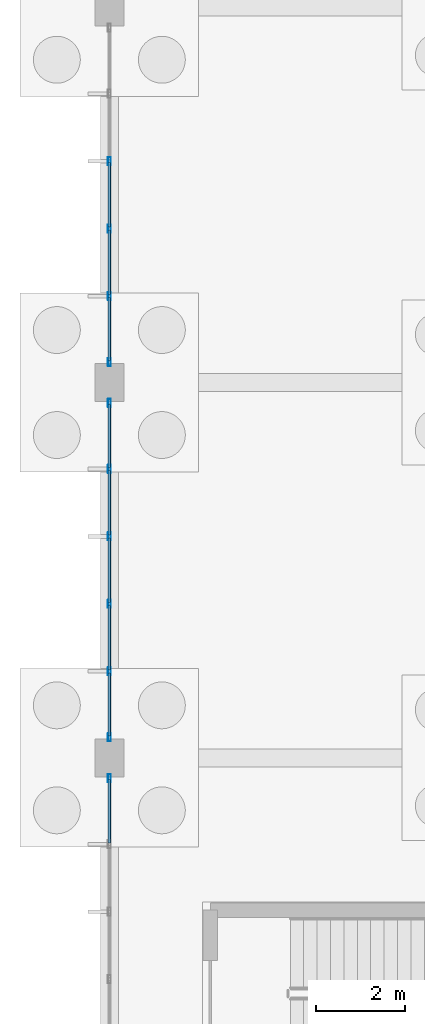
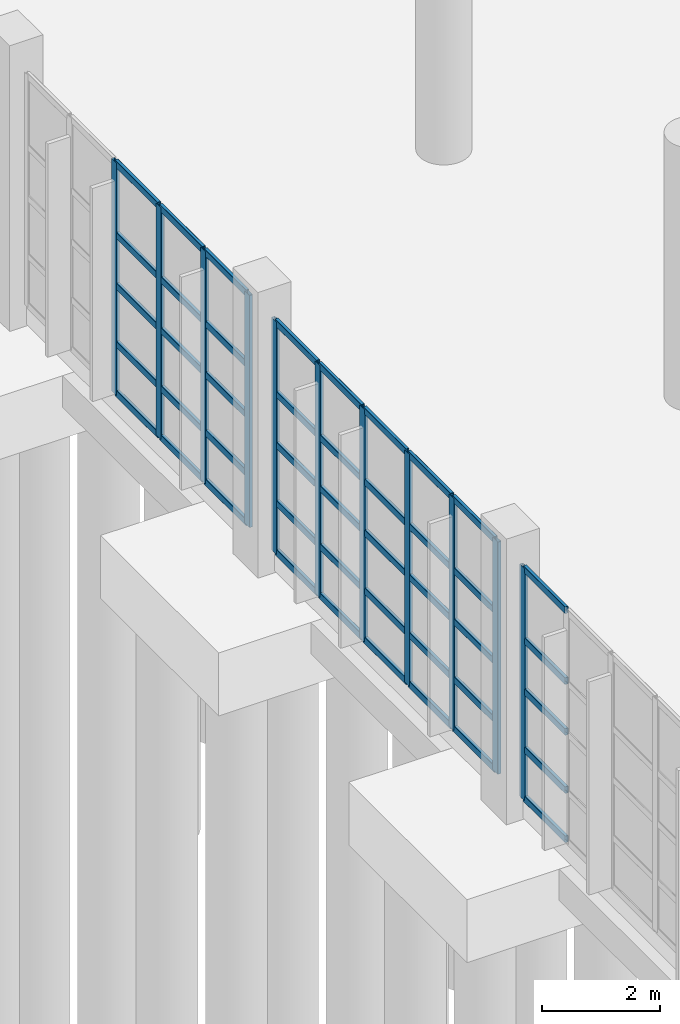
# One storey, part 25 of 83: 56 members, 3 elements without a shape of their own.
"""IFC4 building model written with IfcOpenShell, lengths in metres."""

import ifcopenshell
import ifcopenshell.guid

model = None  # the IFC model being written
_history = None  # IfcOwnerHistory: only IFC2X3 demands one
_inside = {}  # id of a spatial element -> (the spatial element, [elements in it])
_under = {}  # id of a project, library or spatial element -> (it, [spatial elements below it])
_declared = {}  # id of a project -> (the project, [libraries it declares])
_typed = {}  # id of a type object -> (the type object, [elements of that type])
_made_of = {}  # id of a material, layer set ... -> (it, [elements and type objects made of it])


def new_model(schema):
    """Start an empty IFC model of exactly this schema.

    Asked for "IFC4X3", IfcOpenShell would pick the latest addendum, in which some entities
    have other attributes; the version numbers below select the first issue.
    IFC2X3 requires an IfcOwnerHistory on every rooted entity: one is made here for all.
    """
    global model, _history
    if schema == "IFC4X3":
        model = ifcopenshell.file(schema_version=(4, 3, 0, 0))
    else:
        model = ifcopenshell.file(schema=schema)
    _inside.clear()
    _under.clear()
    _declared.clear()
    _typed.clear()
    _made_of.clear()
    _history = None
    if model.schema == "IFC2X3":
        org = make("IfcOrganization", Name="unknown")
        user = make(
            "IfcPersonAndOrganization",
            ThePerson=make("IfcPerson", FamilyName="unknown"),
            TheOrganization=org,
        )
        app = make(
            "IfcApplication",
            ApplicationDeveloper=org,
            Version="unknown",
            ApplicationFullName="unknown",
            ApplicationIdentifier="unknown",
        )
        _history = make(
            "IfcOwnerHistory",
            OwningUser=user,
            OwningApplication=app,
            ChangeAction="ADDED",
            CreationDate=0,
        )
    return model


def make(cls, **values):
    """One entity of the class cls with the attributes given. An attribute that is None is left unset."""
    return model.create_entity(
        cls, **{name: value for name, value in values.items() if value is not None}
    )


def rooted(cls, **values):
    """An entity with a GlobalId (a new one), such as an element, a storey or a relation."""
    return make(cls, GlobalId=ifcopenshell.guid.new(), OwnerHistory=_history, **values)


def si_unit(unit_type, name, prefix=None):
    """IfcSIUnit, for example si_unit("LENGTHUNIT", "METRE", prefix="MILLI")."""
    return make("IfcSIUnit", UnitType=unit_type, Prefix=prefix, Name=name)


def assignment(units):
    """IfcUnitAssignment: the units of a project."""
    return None if units is None else make("IfcUnitAssignment", Units=units)


def point(xyz):
    """IfcCartesianPoint."""
    return None if xyz is None else make("IfcCartesianPoint", Coordinates=xyz)


def direction(xyz):
    """IfcDirection."""
    return None if xyz is None else make("IfcDirection", DirectionRatios=xyz)


def frame(location, z_axis=None, x_axis=None):
    """IfcAxis2Placement3D, a coordinate frame: its origin and axes. An axis left out is left unset."""
    return make(
        "IfcAxis2Placement3D",
        Location=point(location),
        Axis=direction(z_axis),
        RefDirection=direction(x_axis),
    )


def frame_2d(location, x_axis=None):
    """IfcAxis2Placement2D, a coordinate frame in the plane: its origin and x axis."""
    return make(
        "IfcAxis2Placement2D", Location=point(location), RefDirection=direction(x_axis)
    )


def origin():
    """The frame at (0, 0, 0) with its axes left unset."""
    return frame((0.0, 0.0, 0.0))


def origin_2d():
    """The frame at (0, 0) in the plane with its x axis left unset."""
    return frame_2d((0.0, 0.0))


def place(relative_to, where):
    """IfcLocalPlacement: puts the frame where relative to a parent placement (None: the world)."""
    return make(
        "IfcLocalPlacement", PlacementRelTo=relative_to, RelativePlacement=where
    )


def context(
    kind, dimensions, precision=None, world=None, true_north=None, identifier=None
):
    """IfcGeometricRepresentationContext, for example the 3D "Model" context."""
    return make(
        "IfcGeometricRepresentationContext",
        ContextIdentifier=identifier,
        ContextType=kind,
        CoordinateSpaceDimension=dimensions,
        Precision=precision,
        WorldCoordinateSystem=world,
        TrueNorth=true_north,
    )


def subcontext(parent, identifier, kind, view, scale=None):
    """IfcGeometricRepresentationSubContext, for example "Body" below "Model"."""
    return make(
        "IfcGeometricRepresentationSubContext",
        ContextIdentifier=identifier,
        ContextType=kind,
        ParentContext=parent,
        TargetScale=scale,
        TargetView=view,
    )


def project(units=None, contexts=None):
    """IfcProject with its units and contexts."""
    return rooted(
        "IfcProject",
        Name="project",
        RepresentationContexts=contexts,
        UnitsInContext=assignment(units),
    )


def spatial(cls, under=None, at=None, **own):
    """A site, building, storey or space (cls), placed at a placement, below another one or the project."""
    s = rooted(cls, ObjectPlacement=at, **own)
    if under is not None:
        _under.setdefault(under.id(), (under, []))[1].append(s)
    return s


def profile(cls, at=None, kind="AREA", **sizes):
    """A parametric profile (cls). Its sizes go by their IFC names, for example OverallWidth=200.0."""
    return make(cls, ProfileType=kind, Position=at, **sizes)


def hollow_rectangle(**sizes):
    """IfcRectangleHollowProfileDef."""
    return profile("IfcRectangleHollowProfileDef", **sizes)


def extrude(swept, where, along, depth):
    """IfcExtrudedAreaSolid: the profile swept, set in the frame where, extruded along a direction by depth."""
    return make(
        "IfcExtrudedAreaSolid",
        SweptArea=swept,
        Position=where,
        ExtrudedDirection=direction(along),
        Depth=depth,
    )


def shape(context_of_items, identifier, shape_type, items):
    """IfcShapeRepresentation: the items that make up one representation, for example the "Body"."""
    return make(
        "IfcShapeRepresentation",
        ContextOfItems=context_of_items,
        RepresentationIdentifier=identifier,
        RepresentationType=shape_type,
        Items=items,
    )


def material(Name=None, Category=None):
    """IfcMaterial."""
    return make("IfcMaterial", Name=Name, Category=Category)


def layer(
    of_material, thickness, ventilated=None, Name=None, Category=None, Priority=None
):
    """IfcMaterialLayer: one layer of a wall or slab, of a material (None: an air gap)."""
    return make(
        "IfcMaterialLayer",
        Material=of_material,
        LayerThickness=thickness,
        IsVentilated=ventilated,
        Name=Name,
        Category=Category,
        Priority=Priority,
    )


def layer_set(layers, Name=None):
    """IfcMaterialLayerSet."""
    return make("IfcMaterialLayerSet", MaterialLayers=layers, LayerSetName=Name)


def material_profile(
    of_material, cross_section, Name=None, Category=None, Priority=None
):
    """IfcMaterialProfile: a cross section and its material."""
    return make(
        "IfcMaterialProfile",
        Name=Name,
        Material=of_material,
        Profile=cross_section,
        Priority=Priority,
        Category=Category,
    )


def profile_set(profiles, Name=None, composite=None):
    """IfcMaterialProfileSet."""
    return make(
        "IfcMaterialProfileSet",
        Name=Name,
        MaterialProfiles=profiles,
        CompositeProfile=composite,
    )


def made_of(thing, what):
    """Note that an element or type object is made of a material, layer set ...; save() writes the relation."""
    if what is not None:
        _made_of.setdefault(what.id(), (what, []))[1].append(thing)
    return thing


def type_object(cls, material=None, **own):
    """A type object (cls), such as IfcWallType, which elements share."""
    return made_of(rooted(cls, **own), material)


def element(
    cls,
    number,
    at=None,
    inside=None,
    cuts=None,
    type_object=None,
    material=None,
    context=None,
    identifier="Body",
    shape_type=None,
    held_by="IfcProductDefinitionShape",
    body=None,
    shapes=None,
    **own,
):
    """One element of the class cls, such as IfcWall. Its Tag is "e" and its number.

    at: its placement. inside: the storey or other place that contains it. cuts: it is an
    opening in that element (IfcRelVoidsElement). A single representation is given by context,
    identifier, shape_type and body (its items); several are given by shapes. held_by: the class
    of the entity that holds the representations. save() writes the other relations.
    """
    e = rooted(cls, Tag="e%d" % number, ObjectPlacement=at, **own)
    if body is not None:
        shapes = [shape(context, identifier, shape_type, body)]
    if shapes is not None:
        e.Representation = make(held_by, Representations=shapes)
    if inside is not None:
        _inside.setdefault(inside.id(), (inside, []))[1].append(e)
    if cuts is not None:
        rooted(
            "IfcRelVoidsElement", RelatingBuildingElement=cuts, RelatedOpeningElement=e
        )
    if type_object is not None:
        _typed.setdefault(type_object.id(), (type_object, []))[1].append(e)
    return made_of(e, material)


def aggregate(whole, parts):
    """IfcRelAggregates: a whole, such as a stair, and the parts it consists of."""
    return rooted("IfcRelAggregates", RelatingObject=whole, RelatedObjects=parts)


def save(model, path):
    """Write the relations noted so far, then the file.

    IfcRelAggregates (storeys below a building ...), IfcRelContainedInSpatialStructure (elements
    in a storey), IfcRelDefinesByType, IfcRelAssociatesMaterial and IfcRelDeclares: one each for
    every whole, place, type object, material and project.
    """
    for whole, parts in _under.values():
        aggregate(whole, parts)
    for where, things in _inside.values():
        rooted(
            "IfcRelContainedInSpatialStructure",
            RelatedElements=things,
            RelatingStructure=where,
        )
    for kind, things in _typed.values():
        rooted("IfcRelDefinesByType", RelatedObjects=things, RelatingType=kind)
    for what, things in _made_of.values():
        rooted("IfcRelAssociatesMaterial", RelatedObjects=things, RelatingMaterial=what)
    for by, libraries in _declared.values():
        rooted("IfcRelDeclares", RelatingContext=by, RelatedDefinitions=libraries)
    model.write(path)


model = new_model("IFC4")

# Units and contexts
model_context = context("Model", 3, precision=1e-05, world=origin(), true_north=direction((0.0, 1.0)))
body_context = subcontext(model_context, "Body", "Model", "MODEL_VIEW")
ifc_project = project(units=[si_unit("LENGTHUNIT", "METRE"), si_unit("AREAUNIT", "SQUARE_METRE"), si_unit("VOLUMEUNIT", "CUBIC_METRE"), si_unit("PLANEANGLEUNIT", "RADIAN"), si_unit("MASSUNIT", "GRAM", prefix="KILO"), si_unit("THERMODYNAMICTEMPERATUREUNIT", "KELVIN"), si_unit("POWERUNIT", "WATT")], contexts=[model_context])

# Site, building, storey
site_placement = place(None, origin())
site = spatial("IfcSite", under=ifc_project, at=site_placement, CompositionType="ELEMENT")
building_placement = place(site_placement, origin())
building = spatial("IfcBuilding", under=site, at=building_placement, Name="Mavoryth Pier Ferry Terminal", CompositionType="ELEMENT")
storey_placement = place(building_placement, origin())
storey = spatial("IfcBuildingStorey", under=building, at=storey_placement, Name="L00", CompositionType="ELEMENT", Elevation=0.0)

# Curtain wall, member
ifc_material_1 = material(Name="Anodised Aluminium and Solar-Control Low-E Glass", Category="aluminium")
ifc_layer = layer(ifc_material_1, 0.179931640625, Name="Anodised Aluminium and Solar-Control Low-E Glass", Category="aluminium")
ifc_layer_set = layer_set([ifc_layer], Name="Anodised Aluminium and Solar-Control Low-E Glass - CW-Concourse-Mod1400")
curtain_wall_type = type_object("IfcCurtainWallType", Name="CW-Concourse-Mod1400", PredefinedType="USERDEFINED", material=ifc_layer_set)
curtain_wall_1_placement = place(storey_placement, origin())
curtain_wall_1 = element("IfcCurtainWall", 1, at=curtain_wall_1_placement, inside=storey, type_object=curtain_wall_type, Name="Curtain Wall CW-0033-009", ObjectType="UNITISED CURTAIN WALL", PredefinedType="USERDEFINED")
ifc_material_2 = material(Name="Anodised Aluminium EN AW-6063", Category="aluminium")
ifc_material_profile_1 = material_profile(ifc_material_2, hollow_rectangle(XDim=0.06494140625, YDim=0.179931640625, WallThickness=0.00390625, InnerFilletRadius=0.00390625, OuterFilletRadius=0.008056640625, at=origin_2d()), Name="AL-MULL 180x65x4", Category="aluminium")
ifc_profile_set_1 = profile_set([ifc_material_profile_1], Name="Anodised Aluminium EN AW-6063 - AL-MULL 180x65x4")
member_type_1 = type_object("IfcMemberType", Name="Mullion-Alum-180x65", PredefinedType="MULLION", material=ifc_profile_set_1)
member_1_placement = place(storey_placement, frame((0.0, 63.54248046875, 0.0), z_axis=(0.0, 0.0, 1.0), x_axis=(1.0, 0.0, 0.0)))
member_1 = element("IfcMember", 2, at=member_1_placement, type_object=member_type_1, Name="CW01 mullion 1", PredefinedType="MULLION", context=body_context, shape_type="SweptSolid", body=[
    extrude(hollow_rectangle(XDim=0.06494140625, YDim=0.179931640625, WallThickness=0.00390625, InnerFilletRadius=0.00390625, OuterFilletRadius=0.008056640625, at=origin_2d()), origin(), (0.0, 0.0, 1.0), 4.794921875),
])

# Curtain wall, members
curtain_wall_2_placement = place(storey_placement, origin())
curtain_wall_2 = element("IfcCurtainWall", 3, at=curtain_wall_2_placement, inside=storey, type_object=curtain_wall_type, Name="Curtain Wall CW-0033-013", ObjectType="UNITISED CURTAIN WALL", PredefinedType="USERDEFINED")
member_2_placement = place(storey_placement, frame((0.0, 71.9423828125, 0.0), z_axis=(0.0, 0.0, 1.0), x_axis=(1.0, 0.0, 0.0)))
member_2 = element("IfcMember", 4, at=member_2_placement, type_object=member_type_1, Name="CW01 mullion 1", PredefinedType="MULLION", context=body_context, shape_type="SweptSolid", body=[
    extrude(hollow_rectangle(XDim=0.06494140625, YDim=0.179931640625, WallThickness=0.00390625, InnerFilletRadius=0.00390625, OuterFilletRadius=0.008056640625, at=origin_2d()), origin(), (0.0, 0.0, 1.0), 4.794921875),
])
member_3_placement = place(storey_placement, frame((0.0, 70.465087890625, 0.0), z_axis=(0.0, 0.0, 1.0), x_axis=(1.0, 0.0, 0.0)))
member_3 = element("IfcMember", 5, at=member_3_placement, type_object=member_type_1, Name="CW01 mullion 2", PredefinedType="MULLION", context=body_context, shape_type="SweptSolid", body=[
    extrude(hollow_rectangle(XDim=0.06494140625, YDim=0.179931640625, WallThickness=0.00390625, InnerFilletRadius=0.00390625, OuterFilletRadius=0.008056640625, at=origin_2d()), origin(), (0.0, 0.0, 1.0), 4.794921875),
])
member_4_placement = place(storey_placement, frame((0.0, 68.955078125, 0.0), z_axis=(0.0, 0.0, 1.0), x_axis=(1.0, 0.0, 0.0)))
member_4 = element("IfcMember", 6, at=member_4_placement, type_object=member_type_1, Name="CW01 mullion 3", PredefinedType="MULLION", context=body_context, shape_type="SweptSolid", body=[
    extrude(hollow_rectangle(XDim=0.06494140625, YDim=0.179931640625, WallThickness=0.00390625, InnerFilletRadius=0.00390625, OuterFilletRadius=0.008056640625, at=origin_2d()), origin(), (0.0, 0.0, 1.0), 4.794921875),
])
member_5_placement = place(storey_placement, frame((0.0, 67.445068359375, 0.0), z_axis=(0.0, 0.0, 1.0), x_axis=(1.0, 0.0, 0.0)))
member_5 = element("IfcMember", 7, at=member_5_placement, type_object=member_type_1, Name="CW01 mullion 4", PredefinedType="MULLION", context=body_context, shape_type="SweptSolid", body=[
    extrude(hollow_rectangle(XDim=0.06494140625, YDim=0.179931640625, WallThickness=0.00390625, InnerFilletRadius=0.00390625, OuterFilletRadius=0.008056640625, at=origin_2d()), origin(), (0.0, 0.0, 1.0), 4.794921875),
])
member_6_placement = place(storey_placement, frame((0.0, 65.93505859375, 0.0), z_axis=(0.0, 0.0, 1.0), x_axis=(1.0, 0.0, 0.0)))
member_6 = element("IfcMember", 8, at=member_6_placement, type_object=member_type_1, Name="CW01 mullion 5", PredefinedType="MULLION", context=body_context, shape_type="SweptSolid", body=[
    extrude(hollow_rectangle(XDim=0.06494140625, YDim=0.179931640625, WallThickness=0.00390625, InnerFilletRadius=0.00390625, OuterFilletRadius=0.008056640625, at=origin_2d()), origin(), (0.0, 0.0, 1.0), 4.794921875),
])
member_7_placement = place(storey_placement, frame((0.0, 64.45751953125, 0.0), z_axis=(0.0, 0.0, 1.0), x_axis=(1.0, 0.0, 0.0)))
member_7 = element("IfcMember", 9, at=member_7_placement, type_object=member_type_1, Name="CW01 mullion 6", PredefinedType="MULLION", context=body_context, shape_type="SweptSolid", body=[
    extrude(hollow_rectangle(XDim=0.06494140625, YDim=0.179931640625, WallThickness=0.00390625, InnerFilletRadius=0.00390625, OuterFilletRadius=0.008056640625, at=origin_2d()), origin(), (0.0, 0.0, 1.0), 4.794921875),
])

curtain_wall_3_placement = place(storey_placement, origin())
curtain_wall_3 = element("IfcCurtainWall", 10, at=curtain_wall_3_placement, inside=storey, type_object=curtain_wall_type, Name="Curtain Wall CW-0033-017", ObjectType="UNITISED CURTAIN WALL", PredefinedType="USERDEFINED")
member_8_placement = place(storey_placement, frame((0.0, 77.35498046875, 0.0), z_axis=(0.0, 0.0, 1.0), x_axis=(1.0, 0.0, 0.0)))
member_8 = element("IfcMember", 11, at=member_8_placement, type_object=member_type_1, Name="CW01 mullion 3", PredefinedType="MULLION", context=body_context, shape_type="SweptSolid", body=[
    extrude(hollow_rectangle(XDim=0.06494140625, YDim=0.179931640625, WallThickness=0.00390625, InnerFilletRadius=0.00390625, OuterFilletRadius=0.008056640625, at=origin_2d()), origin(), (0.0, 0.0, 1.0), 4.794921875),
])
member_9_placement = place(storey_placement, frame((0.0, 75.844970703125, 0.0), z_axis=(0.0, 0.0, 1.0), x_axis=(1.0, 0.0, 0.0)))
member_9 = element("IfcMember", 12, at=member_9_placement, type_object=member_type_1, Name="CW01 mullion 4", PredefinedType="MULLION", context=body_context, shape_type="SweptSolid", body=[
    extrude(hollow_rectangle(XDim=0.06494140625, YDim=0.179931640625, WallThickness=0.00390625, InnerFilletRadius=0.00390625, OuterFilletRadius=0.008056640625, at=origin_2d()), origin(), (0.0, 0.0, 1.0), 4.794921875),
])
member_10_placement = place(storey_placement, frame((0.0, 74.3349609375, 0.0), z_axis=(0.0, 0.0, 1.0), x_axis=(1.0, 0.0, 0.0)))
member_10 = element("IfcMember", 13, at=member_10_placement, type_object=member_type_1, Name="CW01 mullion 5", PredefinedType="MULLION", context=body_context, shape_type="SweptSolid", body=[
    extrude(hollow_rectangle(XDim=0.06494140625, YDim=0.179931640625, WallThickness=0.00390625, InnerFilletRadius=0.00390625, OuterFilletRadius=0.008056640625, at=origin_2d()), origin(), (0.0, 0.0, 1.0), 4.794921875),
])
member_11_placement = place(storey_placement, frame((0.0, 72.857421875, 0.0), z_axis=(0.0, 0.0, 1.0), x_axis=(1.0, 0.0, 0.0)))
member_11 = element("IfcMember", 14, at=member_11_placement, type_object=member_type_1, Name="CW01 mullion 6", PredefinedType="MULLION", context=body_context, shape_type="SweptSolid", body=[
    extrude(hollow_rectangle(XDim=0.06494140625, YDim=0.179931640625, WallThickness=0.00390625, InnerFilletRadius=0.00390625, OuterFilletRadius=0.008056640625, at=origin_2d()), origin(), (0.0, 0.0, 1.0), 4.794921875),
])

# Member
ifc_material_profile_2 = material_profile(ifc_material_2, hollow_rectangle(XDim=0.06494140625, YDim=0.139892578125, WallThickness=0.00390625, InnerFilletRadius=0.00390625, OuterFilletRadius=0.008056640625, at=origin_2d()), Name="AL-TRAN 140x65x4", Category="aluminium")
ifc_profile_set_2 = profile_set([ifc_material_profile_2], Name="Anodised Aluminium EN AW-6063 - AL-TRAN 140x65x4")
member_type_2 = type_object("IfcMemberType", Name="Transom-Alum-140x65", PredefinedType="USERDEFINED", material=ifc_profile_set_2)
member_12_placement = place(storey_placement, frame((0.0, 63.510009765625, 0.032470703125), z_axis=(0.0, -1.0, 0.0), x_axis=(1.0, 0.0, 0.0)))
member_12 = element("IfcMember", 15, at=member_12_placement, type_object=member_type_2, Name="CW01 transom 1.1", ObjectType="TRANSOM", PredefinedType="USERDEFINED", context=body_context, shape_type="SweptSolid", body=[
    extrude(hollow_rectangle(XDim=0.06494140625, YDim=0.139892578125, WallThickness=0.00390625, InnerFilletRadius=0.00390625, OuterFilletRadius=0.008056640625, at=origin_2d()), origin(), (0.0, 0.0, 1.0), 1.41259765625),
])

member_13_placement = place(storey_placement, frame((0.0, 63.510009765625, 1.050048828125), z_axis=(0.0, -1.0, 0.0), x_axis=(1.0, 0.0, 0.0)))
member_13 = element("IfcMember", 16, at=member_13_placement, type_object=member_type_2, Name="CW01 transom 1.2", ObjectType="TRANSOM", PredefinedType="USERDEFINED", context=body_context, shape_type="SweptSolid", body=[
    extrude(hollow_rectangle(XDim=0.06494140625, YDim=0.139892578125, WallThickness=0.00390625, InnerFilletRadius=0.00390625, OuterFilletRadius=0.008056640625, at=origin_2d()), origin(), (0.0, 0.0, 1.0), 1.41259765625),
])

member_14_placement = place(storey_placement, frame((0.0, 63.510009765625, 2.25), z_axis=(0.0, -1.0, 0.0), x_axis=(1.0, 0.0, 0.0)))
member_14 = element("IfcMember", 17, at=member_14_placement, type_object=member_type_2, Name="CW01 transom 1.3", ObjectType="TRANSOM", PredefinedType="USERDEFINED", context=body_context, shape_type="SweptSolid", body=[
    extrude(hollow_rectangle(XDim=0.06494140625, YDim=0.139892578125, WallThickness=0.00390625, InnerFilletRadius=0.00390625, OuterFilletRadius=0.008056640625, at=origin_2d()), origin(), (0.0, 0.0, 1.0), 1.41259765625),
])

member_15_placement = place(storey_placement, frame((0.0, 63.510009765625, 3.300048828125), z_axis=(0.0, -1.0, 0.0), x_axis=(1.0, 0.0, 0.0)))
member_15 = element("IfcMember", 18, at=member_15_placement, type_object=member_type_2, Name="CW01 transom 1.4", ObjectType="TRANSOM", PredefinedType="USERDEFINED", context=body_context, shape_type="SweptSolid", body=[
    extrude(hollow_rectangle(XDim=0.06494140625, YDim=0.139892578125, WallThickness=0.00390625, InnerFilletRadius=0.00390625, OuterFilletRadius=0.008056640625, at=origin_2d()), origin(), (0.0, 0.0, 1.0), 1.41259765625),
])

member_16_placement = place(storey_placement, frame((0.0, 63.510009765625, 4.762451171875), z_axis=(0.0, -1.0, 0.0), x_axis=(1.0, 0.0, 0.0)))
member_16 = element("IfcMember", 19, at=member_16_placement, type_object=member_type_2, Name="CW01 transom 1.5", ObjectType="TRANSOM", PredefinedType="USERDEFINED", context=body_context, shape_type="SweptSolid", body=[
    extrude(hollow_rectangle(XDim=0.06494140625, YDim=0.139892578125, WallThickness=0.00390625, InnerFilletRadius=0.00390625, OuterFilletRadius=0.008056640625, at=origin_2d()), origin(), (0.0, 0.0, 1.0), 1.41259765625),
])

aggregate(curtain_wall_1, [member_1, member_12, member_13, member_14, member_15, member_16])

member_17_placement = place(storey_placement, frame((0.0, 71.909912109375, 0.032470703125), z_axis=(0.0, -1.0, 0.0), x_axis=(1.0, 0.0, 0.0)))
member_17 = element("IfcMember", 20, at=member_17_placement, type_object=member_type_2, Name="CW01 transom 1.1", ObjectType="TRANSOM", PredefinedType="USERDEFINED", context=body_context, shape_type="SweptSolid", body=[
    extrude(hollow_rectangle(XDim=0.06494140625, YDim=0.139892578125, WallThickness=0.00390625, InnerFilletRadius=0.00390625, OuterFilletRadius=0.008056640625, at=origin_2d()), origin(), (0.0, 0.0, 1.0), 1.412353515625),
])

member_18_placement = place(storey_placement, frame((0.0, 71.909912109375, 1.050048828125), z_axis=(0.0, -1.0, 0.0), x_axis=(1.0, 0.0, 0.0)))
member_18 = element("IfcMember", 21, at=member_18_placement, type_object=member_type_2, Name="CW01 transom 1.2", ObjectType="TRANSOM", PredefinedType="USERDEFINED", context=body_context, shape_type="SweptSolid", body=[
    extrude(hollow_rectangle(XDim=0.06494140625, YDim=0.139892578125, WallThickness=0.00390625, InnerFilletRadius=0.00390625, OuterFilletRadius=0.008056640625, at=origin_2d()), origin(), (0.0, 0.0, 1.0), 1.412353515625),
])

member_19_placement = place(storey_placement, frame((0.0, 71.909912109375, 2.25), z_axis=(0.0, -1.0, 0.0), x_axis=(1.0, 0.0, 0.0)))
member_19 = element("IfcMember", 22, at=member_19_placement, type_object=member_type_2, Name="CW01 transom 1.3", ObjectType="TRANSOM", PredefinedType="USERDEFINED", context=body_context, shape_type="SweptSolid", body=[
    extrude(hollow_rectangle(XDim=0.06494140625, YDim=0.139892578125, WallThickness=0.00390625, InnerFilletRadius=0.00390625, OuterFilletRadius=0.008056640625, at=origin_2d()), origin(), (0.0, 0.0, 1.0), 1.412353515625),
])

member_20_placement = place(storey_placement, frame((0.0, 71.909912109375, 3.300048828125), z_axis=(0.0, -1.0, 0.0), x_axis=(1.0, 0.0, 0.0)))
member_20 = element("IfcMember", 23, at=member_20_placement, type_object=member_type_2, Name="CW01 transom 1.4", ObjectType="TRANSOM", PredefinedType="USERDEFINED", context=body_context, shape_type="SweptSolid", body=[
    extrude(hollow_rectangle(XDim=0.06494140625, YDim=0.139892578125, WallThickness=0.00390625, InnerFilletRadius=0.00390625, OuterFilletRadius=0.008056640625, at=origin_2d()), origin(), (0.0, 0.0, 1.0), 1.412353515625),
])

member_21_placement = place(storey_placement, frame((0.0, 71.909912109375, 4.762451171875), z_axis=(0.0, -1.0, 0.0), x_axis=(1.0, 0.0, 0.0)))
member_21 = element("IfcMember", 24, at=member_21_placement, type_object=member_type_2, Name="CW01 transom 1.5", ObjectType="TRANSOM", PredefinedType="USERDEFINED", context=body_context, shape_type="SweptSolid", body=[
    extrude(hollow_rectangle(XDim=0.06494140625, YDim=0.139892578125, WallThickness=0.00390625, InnerFilletRadius=0.00390625, OuterFilletRadius=0.008056640625, at=origin_2d()), origin(), (0.0, 0.0, 1.0), 1.412353515625),
])

member_22_placement = place(storey_placement, frame((0.0, 70.4326171875, 0.032470703125), z_axis=(0.0, -1.0, 0.0), x_axis=(1.0, 0.0, 0.0)))
member_22 = element("IfcMember", 25, at=member_22_placement, type_object=member_type_2, Name="CW01 transom 2.1", ObjectType="TRANSOM", PredefinedType="USERDEFINED", context=body_context, shape_type="SweptSolid", body=[
    extrude(hollow_rectangle(XDim=0.06494140625, YDim=0.139892578125, WallThickness=0.00390625, InnerFilletRadius=0.00390625, OuterFilletRadius=0.008056640625, at=origin_2d()), origin(), (0.0, 0.0, 1.0), 1.445068359375),
])

member_23_placement = place(storey_placement, frame((0.0, 70.4326171875, 1.050048828125), z_axis=(0.0, -1.0, 0.0), x_axis=(1.0, 0.0, 0.0)))
member_23 = element("IfcMember", 26, at=member_23_placement, type_object=member_type_2, Name="CW01 transom 2.2", ObjectType="TRANSOM", PredefinedType="USERDEFINED", context=body_context, shape_type="SweptSolid", body=[
    extrude(hollow_rectangle(XDim=0.06494140625, YDim=0.139892578125, WallThickness=0.00390625, InnerFilletRadius=0.00390625, OuterFilletRadius=0.008056640625, at=origin_2d()), origin(), (0.0, 0.0, 1.0), 1.445068359375),
])

member_24_placement = place(storey_placement, frame((0.0, 70.4326171875, 2.25), z_axis=(0.0, -1.0, 0.0), x_axis=(1.0, 0.0, 0.0)))
member_24 = element("IfcMember", 27, at=member_24_placement, type_object=member_type_2, Name="CW01 transom 2.3", ObjectType="TRANSOM", PredefinedType="USERDEFINED", context=body_context, shape_type="SweptSolid", body=[
    extrude(hollow_rectangle(XDim=0.06494140625, YDim=0.139892578125, WallThickness=0.00390625, InnerFilletRadius=0.00390625, OuterFilletRadius=0.008056640625, at=origin_2d()), origin(), (0.0, 0.0, 1.0), 1.445068359375),
])

member_25_placement = place(storey_placement, frame((0.0, 70.4326171875, 3.300048828125), z_axis=(0.0, -1.0, 0.0), x_axis=(1.0, 0.0, 0.0)))
member_25 = element("IfcMember", 28, at=member_25_placement, type_object=member_type_2, Name="CW01 transom 2.4", ObjectType="TRANSOM", PredefinedType="USERDEFINED", context=body_context, shape_type="SweptSolid", body=[
    extrude(hollow_rectangle(XDim=0.06494140625, YDim=0.139892578125, WallThickness=0.00390625, InnerFilletRadius=0.00390625, OuterFilletRadius=0.008056640625, at=origin_2d()), origin(), (0.0, 0.0, 1.0), 1.445068359375),
])

member_26_placement = place(storey_placement, frame((0.0, 70.4326171875, 4.762451171875), z_axis=(0.0, -1.0, 0.0), x_axis=(1.0, 0.0, 0.0)))
member_26 = element("IfcMember", 29, at=member_26_placement, type_object=member_type_2, Name="CW01 transom 2.5", ObjectType="TRANSOM", PredefinedType="USERDEFINED", context=body_context, shape_type="SweptSolid", body=[
    extrude(hollow_rectangle(XDim=0.06494140625, YDim=0.139892578125, WallThickness=0.00390625, InnerFilletRadius=0.00390625, OuterFilletRadius=0.008056640625, at=origin_2d()), origin(), (0.0, 0.0, 1.0), 1.445068359375),
])

member_27_placement = place(storey_placement, frame((0.0, 68.922607421875, 0.032470703125), z_axis=(0.0, -1.0, 0.0), x_axis=(1.0, 0.0, 0.0)))
member_27 = element("IfcMember", 30, at=member_27_placement, type_object=member_type_2, Name="CW01 transom 3.1", ObjectType="TRANSOM", PredefinedType="USERDEFINED", context=body_context, shape_type="SweptSolid", body=[
    extrude(hollow_rectangle(XDim=0.06494140625, YDim=0.139892578125, WallThickness=0.00390625, InnerFilletRadius=0.00390625, OuterFilletRadius=0.008056640625, at=origin_2d()), origin(), (0.0, 0.0, 1.0), 1.445068359375),
])

member_28_placement = place(storey_placement, frame((0.0, 68.922607421875, 1.050048828125), z_axis=(0.0, -1.0, 0.0), x_axis=(1.0, 0.0, 0.0)))
member_28 = element("IfcMember", 31, at=member_28_placement, type_object=member_type_2, Name="CW01 transom 3.2", ObjectType="TRANSOM", PredefinedType="USERDEFINED", context=body_context, shape_type="SweptSolid", body=[
    extrude(hollow_rectangle(XDim=0.06494140625, YDim=0.139892578125, WallThickness=0.00390625, InnerFilletRadius=0.00390625, OuterFilletRadius=0.008056640625, at=origin_2d()), origin(), (0.0, 0.0, 1.0), 1.445068359375),
])

member_29_placement = place(storey_placement, frame((0.0, 68.922607421875, 2.25), z_axis=(0.0, -1.0, 0.0), x_axis=(1.0, 0.0, 0.0)))
member_29 = element("IfcMember", 32, at=member_29_placement, type_object=member_type_2, Name="CW01 transom 3.3", ObjectType="TRANSOM", PredefinedType="USERDEFINED", context=body_context, shape_type="SweptSolid", body=[
    extrude(hollow_rectangle(XDim=0.06494140625, YDim=0.139892578125, WallThickness=0.00390625, InnerFilletRadius=0.00390625, OuterFilletRadius=0.008056640625, at=origin_2d()), origin(), (0.0, 0.0, 1.0), 1.445068359375),
])

member_30_placement = place(storey_placement, frame((0.0, 68.922607421875, 3.300048828125), z_axis=(0.0, -1.0, 0.0), x_axis=(1.0, 0.0, 0.0)))
member_30 = element("IfcMember", 33, at=member_30_placement, type_object=member_type_2, Name="CW01 transom 3.4", ObjectType="TRANSOM", PredefinedType="USERDEFINED", context=body_context, shape_type="SweptSolid", body=[
    extrude(hollow_rectangle(XDim=0.06494140625, YDim=0.139892578125, WallThickness=0.00390625, InnerFilletRadius=0.00390625, OuterFilletRadius=0.008056640625, at=origin_2d()), origin(), (0.0, 0.0, 1.0), 1.445068359375),
])

member_31_placement = place(storey_placement, frame((0.0, 68.922607421875, 4.762451171875), z_axis=(0.0, -1.0, 0.0), x_axis=(1.0, 0.0, 0.0)))
member_31 = element("IfcMember", 34, at=member_31_placement, type_object=member_type_2, Name="CW01 transom 3.5", ObjectType="TRANSOM", PredefinedType="USERDEFINED", context=body_context, shape_type="SweptSolid", body=[
    extrude(hollow_rectangle(XDim=0.06494140625, YDim=0.139892578125, WallThickness=0.00390625, InnerFilletRadius=0.00390625, OuterFilletRadius=0.008056640625, at=origin_2d()), origin(), (0.0, 0.0, 1.0), 1.445068359375),
])

member_32_placement = place(storey_placement, frame((0.0, 67.41259765625, 0.032470703125), z_axis=(0.0, -1.0, 0.0), x_axis=(1.0, 0.0, 0.0)))
member_32 = element("IfcMember", 35, at=member_32_placement, type_object=member_type_2, Name="CW01 transom 4.1", ObjectType="TRANSOM", PredefinedType="USERDEFINED", context=body_context, shape_type="SweptSolid", body=[
    extrude(hollow_rectangle(XDim=0.06494140625, YDim=0.139892578125, WallThickness=0.00390625, InnerFilletRadius=0.00390625, OuterFilletRadius=0.008056640625, at=origin_2d()), origin(), (0.0, 0.0, 1.0), 1.445068359375),
])

member_33_placement = place(storey_placement, frame((0.0, 67.41259765625, 1.050048828125), z_axis=(0.0, -1.0, 0.0), x_axis=(1.0, 0.0, 0.0)))
member_33 = element("IfcMember", 36, at=member_33_placement, type_object=member_type_2, Name="CW01 transom 4.2", ObjectType="TRANSOM", PredefinedType="USERDEFINED", context=body_context, shape_type="SweptSolid", body=[
    extrude(hollow_rectangle(XDim=0.06494140625, YDim=0.139892578125, WallThickness=0.00390625, InnerFilletRadius=0.00390625, OuterFilletRadius=0.008056640625, at=origin_2d()), origin(), (0.0, 0.0, 1.0), 1.445068359375),
])

member_34_placement = place(storey_placement, frame((0.0, 67.41259765625, 2.25), z_axis=(0.0, -1.0, 0.0), x_axis=(1.0, 0.0, 0.0)))
member_34 = element("IfcMember", 37, at=member_34_placement, type_object=member_type_2, Name="CW01 transom 4.3", ObjectType="TRANSOM", PredefinedType="USERDEFINED", context=body_context, shape_type="SweptSolid", body=[
    extrude(hollow_rectangle(XDim=0.06494140625, YDim=0.139892578125, WallThickness=0.00390625, InnerFilletRadius=0.00390625, OuterFilletRadius=0.008056640625, at=origin_2d()), origin(), (0.0, 0.0, 1.0), 1.445068359375),
])

member_35_placement = place(storey_placement, frame((0.0, 67.41259765625, 3.300048828125), z_axis=(0.0, -1.0, 0.0), x_axis=(1.0, 0.0, 0.0)))
member_35 = element("IfcMember", 38, at=member_35_placement, type_object=member_type_2, Name="CW01 transom 4.4", ObjectType="TRANSOM", PredefinedType="USERDEFINED", context=body_context, shape_type="SweptSolid", body=[
    extrude(hollow_rectangle(XDim=0.06494140625, YDim=0.139892578125, WallThickness=0.00390625, InnerFilletRadius=0.00390625, OuterFilletRadius=0.008056640625, at=origin_2d()), origin(), (0.0, 0.0, 1.0), 1.445068359375),
])

member_36_placement = place(storey_placement, frame((0.0, 67.41259765625, 4.762451171875), z_axis=(0.0, -1.0, 0.0), x_axis=(1.0, 0.0, 0.0)))
member_36 = element("IfcMember", 39, at=member_36_placement, type_object=member_type_2, Name="CW01 transom 4.5", ObjectType="TRANSOM", PredefinedType="USERDEFINED", context=body_context, shape_type="SweptSolid", body=[
    extrude(hollow_rectangle(XDim=0.06494140625, YDim=0.139892578125, WallThickness=0.00390625, InnerFilletRadius=0.00390625, OuterFilletRadius=0.008056640625, at=origin_2d()), origin(), (0.0, 0.0, 1.0), 1.445068359375),
])

member_37_placement = place(storey_placement, frame((0.0, 65.902587890625, 0.032470703125), z_axis=(0.0, -1.0, 0.0), x_axis=(1.0, 0.0, 0.0)))
member_37 = element("IfcMember", 40, at=member_37_placement, type_object=member_type_2, Name="CW01 transom 5.1", ObjectType="TRANSOM", PredefinedType="USERDEFINED", context=body_context, shape_type="SweptSolid", body=[
    extrude(hollow_rectangle(XDim=0.06494140625, YDim=0.139892578125, WallThickness=0.00390625, InnerFilletRadius=0.00390625, OuterFilletRadius=0.008056640625, at=origin_2d()), origin(), (0.0, 0.0, 1.0), 1.41259765625),
])

member_38_placement = place(storey_placement, frame((0.0, 65.902587890625, 1.050048828125), z_axis=(0.0, -1.0, 0.0), x_axis=(1.0, 0.0, 0.0)))
member_38 = element("IfcMember", 41, at=member_38_placement, type_object=member_type_2, Name="CW01 transom 5.2", ObjectType="TRANSOM", PredefinedType="USERDEFINED", context=body_context, shape_type="SweptSolid", body=[
    extrude(hollow_rectangle(XDim=0.06494140625, YDim=0.139892578125, WallThickness=0.00390625, InnerFilletRadius=0.00390625, OuterFilletRadius=0.008056640625, at=origin_2d()), origin(), (0.0, 0.0, 1.0), 1.41259765625),
])

member_39_placement = place(storey_placement, frame((0.0, 65.902587890625, 2.25), z_axis=(0.0, -1.0, 0.0), x_axis=(1.0, 0.0, 0.0)))
member_39 = element("IfcMember", 42, at=member_39_placement, type_object=member_type_2, Name="CW01 transom 5.3", ObjectType="TRANSOM", PredefinedType="USERDEFINED", context=body_context, shape_type="SweptSolid", body=[
    extrude(hollow_rectangle(XDim=0.06494140625, YDim=0.139892578125, WallThickness=0.00390625, InnerFilletRadius=0.00390625, OuterFilletRadius=0.008056640625, at=origin_2d()), origin(), (0.0, 0.0, 1.0), 1.41259765625),
])

member_40_placement = place(storey_placement, frame((0.0, 65.902587890625, 3.300048828125), z_axis=(0.0, -1.0, 0.0), x_axis=(1.0, 0.0, 0.0)))
member_40 = element("IfcMember", 43, at=member_40_placement, type_object=member_type_2, Name="CW01 transom 5.4", ObjectType="TRANSOM", PredefinedType="USERDEFINED", context=body_context, shape_type="SweptSolid", body=[
    extrude(hollow_rectangle(XDim=0.06494140625, YDim=0.139892578125, WallThickness=0.00390625, InnerFilletRadius=0.00390625, OuterFilletRadius=0.008056640625, at=origin_2d()), origin(), (0.0, 0.0, 1.0), 1.41259765625),
])

member_41_placement = place(storey_placement, frame((0.0, 65.902587890625, 4.762451171875), z_axis=(0.0, -1.0, 0.0), x_axis=(1.0, 0.0, 0.0)))
member_41 = element("IfcMember", 44, at=member_41_placement, type_object=member_type_2, Name="CW01 transom 5.5", ObjectType="TRANSOM", PredefinedType="USERDEFINED", context=body_context, shape_type="SweptSolid", body=[
    extrude(hollow_rectangle(XDim=0.06494140625, YDim=0.139892578125, WallThickness=0.00390625, InnerFilletRadius=0.00390625, OuterFilletRadius=0.008056640625, at=origin_2d()), origin(), (0.0, 0.0, 1.0), 1.41259765625),
])

aggregate(curtain_wall_2, [member_2, member_3, member_4, member_5, member_6, member_7, member_17, member_18, member_19, member_20, member_21, member_22, member_23, member_24, member_25, member_26, member_27, member_28, member_29, member_30, member_31, member_32, member_33, member_34, member_35, member_36, member_37, member_38, member_39, member_40, member_41])

member_42_placement = place(storey_placement, frame((0.0, 77.322509765625, 0.032470703125), z_axis=(0.0, -1.0, 0.0), x_axis=(1.0, 0.0, 0.0)))
member_42 = element("IfcMember", 45, at=member_42_placement, type_object=member_type_2, Name="CW01 transom 3.1", ObjectType="TRANSOM", PredefinedType="USERDEFINED", context=body_context, shape_type="SweptSolid", body=[
    extrude(hollow_rectangle(XDim=0.06494140625, YDim=0.139892578125, WallThickness=0.00390625, InnerFilletRadius=0.00390625, OuterFilletRadius=0.008056640625, at=origin_2d()), origin(), (0.0, 0.0, 1.0), 1.445068359375),
])

member_43_placement = place(storey_placement, frame((0.0, 77.322509765625, 1.050048828125), z_axis=(0.0, -1.0, 0.0), x_axis=(1.0, 0.0, 0.0)))
member_43 = element("IfcMember", 46, at=member_43_placement, type_object=member_type_2, Name="CW01 transom 3.2", ObjectType="TRANSOM", PredefinedType="USERDEFINED", context=body_context, shape_type="SweptSolid", body=[
    extrude(hollow_rectangle(XDim=0.06494140625, YDim=0.139892578125, WallThickness=0.00390625, InnerFilletRadius=0.00390625, OuterFilletRadius=0.008056640625, at=origin_2d()), origin(), (0.0, 0.0, 1.0), 1.445068359375),
])

member_44_placement = place(storey_placement, frame((0.0, 77.322509765625, 2.25), z_axis=(0.0, -1.0, 0.0), x_axis=(1.0, 0.0, 0.0)))
member_44 = element("IfcMember", 47, at=member_44_placement, type_object=member_type_2, Name="CW01 transom 3.3", ObjectType="TRANSOM", PredefinedType="USERDEFINED", context=body_context, shape_type="SweptSolid", body=[
    extrude(hollow_rectangle(XDim=0.06494140625, YDim=0.139892578125, WallThickness=0.00390625, InnerFilletRadius=0.00390625, OuterFilletRadius=0.008056640625, at=origin_2d()), origin(), (0.0, 0.0, 1.0), 1.445068359375),
])

member_45_placement = place(storey_placement, frame((0.0, 77.322509765625, 3.300048828125), z_axis=(0.0, -1.0, 0.0), x_axis=(1.0, 0.0, 0.0)))
member_45 = element("IfcMember", 48, at=member_45_placement, type_object=member_type_2, Name="CW01 transom 3.4", ObjectType="TRANSOM", PredefinedType="USERDEFINED", context=body_context, shape_type="SweptSolid", body=[
    extrude(hollow_rectangle(XDim=0.06494140625, YDim=0.139892578125, WallThickness=0.00390625, InnerFilletRadius=0.00390625, OuterFilletRadius=0.008056640625, at=origin_2d()), origin(), (0.0, 0.0, 1.0), 1.445068359375),
])

member_46_placement = place(storey_placement, frame((0.0, 77.322509765625, 4.762451171875), z_axis=(0.0, -1.0, 0.0), x_axis=(1.0, 0.0, 0.0)))
member_46 = element("IfcMember", 49, at=member_46_placement, type_object=member_type_2, Name="CW01 transom 3.5", ObjectType="TRANSOM", PredefinedType="USERDEFINED", context=body_context, shape_type="SweptSolid", body=[
    extrude(hollow_rectangle(XDim=0.06494140625, YDim=0.139892578125, WallThickness=0.00390625, InnerFilletRadius=0.00390625, OuterFilletRadius=0.008056640625, at=origin_2d()), origin(), (0.0, 0.0, 1.0), 1.445068359375),
])

member_47_placement = place(storey_placement, frame((0.0, 75.8125, 0.032470703125), z_axis=(0.0, -1.0, 0.0), x_axis=(1.0, 0.0, 0.0)))
member_47 = element("IfcMember", 50, at=member_47_placement, type_object=member_type_2, Name="CW01 transom 4.1", ObjectType="TRANSOM", PredefinedType="USERDEFINED", context=body_context, shape_type="SweptSolid", body=[
    extrude(hollow_rectangle(XDim=0.06494140625, YDim=0.139892578125, WallThickness=0.00390625, InnerFilletRadius=0.00390625, OuterFilletRadius=0.008056640625, at=origin_2d()), origin(), (0.0, 0.0, 1.0), 1.445068359375),
])

member_48_placement = place(storey_placement, frame((0.0, 75.8125, 1.050048828125), z_axis=(0.0, -1.0, 0.0), x_axis=(1.0, 0.0, 0.0)))
member_48 = element("IfcMember", 51, at=member_48_placement, type_object=member_type_2, Name="CW01 transom 4.2", ObjectType="TRANSOM", PredefinedType="USERDEFINED", context=body_context, shape_type="SweptSolid", body=[
    extrude(hollow_rectangle(XDim=0.06494140625, YDim=0.139892578125, WallThickness=0.00390625, InnerFilletRadius=0.00390625, OuterFilletRadius=0.008056640625, at=origin_2d()), origin(), (0.0, 0.0, 1.0), 1.445068359375),
])

member_49_placement = place(storey_placement, frame((0.0, 75.8125, 2.25), z_axis=(0.0, -1.0, 0.0), x_axis=(1.0, 0.0, 0.0)))
member_49 = element("IfcMember", 52, at=member_49_placement, type_object=member_type_2, Name="CW01 transom 4.3", ObjectType="TRANSOM", PredefinedType="USERDEFINED", context=body_context, shape_type="SweptSolid", body=[
    extrude(hollow_rectangle(XDim=0.06494140625, YDim=0.139892578125, WallThickness=0.00390625, InnerFilletRadius=0.00390625, OuterFilletRadius=0.008056640625, at=origin_2d()), origin(), (0.0, 0.0, 1.0), 1.445068359375),
])

member_50_placement = place(storey_placement, frame((0.0, 75.8125, 3.300048828125), z_axis=(0.0, -1.0, 0.0), x_axis=(1.0, 0.0, 0.0)))
member_50 = element("IfcMember", 53, at=member_50_placement, type_object=member_type_2, Name="CW01 transom 4.4", ObjectType="TRANSOM", PredefinedType="USERDEFINED", context=body_context, shape_type="SweptSolid", body=[
    extrude(hollow_rectangle(XDim=0.06494140625, YDim=0.139892578125, WallThickness=0.00390625, InnerFilletRadius=0.00390625, OuterFilletRadius=0.008056640625, at=origin_2d()), origin(), (0.0, 0.0, 1.0), 1.445068359375),
])

member_51_placement = place(storey_placement, frame((0.0, 75.8125, 4.762451171875), z_axis=(0.0, -1.0, 0.0), x_axis=(1.0, 0.0, 0.0)))
member_51 = element("IfcMember", 54, at=member_51_placement, type_object=member_type_2, Name="CW01 transom 4.5", ObjectType="TRANSOM", PredefinedType="USERDEFINED", context=body_context, shape_type="SweptSolid", body=[
    extrude(hollow_rectangle(XDim=0.06494140625, YDim=0.139892578125, WallThickness=0.00390625, InnerFilletRadius=0.00390625, OuterFilletRadius=0.008056640625, at=origin_2d()), origin(), (0.0, 0.0, 1.0), 1.445068359375),
])

member_52_placement = place(storey_placement, frame((0.0, 74.302490234375, 0.032470703125), z_axis=(0.0, -1.0, 0.0), x_axis=(1.0, 0.0, 0.0)))
member_52 = element("IfcMember", 55, at=member_52_placement, type_object=member_type_2, Name="CW01 transom 5.1", ObjectType="TRANSOM", PredefinedType="USERDEFINED", context=body_context, shape_type="SweptSolid", body=[
    extrude(hollow_rectangle(XDim=0.06494140625, YDim=0.139892578125, WallThickness=0.00390625, InnerFilletRadius=0.00390625, OuterFilletRadius=0.008056640625, at=origin_2d()), origin(), (0.0, 0.0, 1.0), 1.41259765625),
])

member_53_placement = place(storey_placement, frame((0.0, 74.302490234375, 1.050048828125), z_axis=(0.0, -1.0, 0.0), x_axis=(1.0, 0.0, 0.0)))
member_53 = element("IfcMember", 56, at=member_53_placement, type_object=member_type_2, Name="CW01 transom 5.2", ObjectType="TRANSOM", PredefinedType="USERDEFINED", context=body_context, shape_type="SweptSolid", body=[
    extrude(hollow_rectangle(XDim=0.06494140625, YDim=0.139892578125, WallThickness=0.00390625, InnerFilletRadius=0.00390625, OuterFilletRadius=0.008056640625, at=origin_2d()), origin(), (0.0, 0.0, 1.0), 1.41259765625),
])

member_54_placement = place(storey_placement, frame((0.0, 74.302490234375, 2.25), z_axis=(0.0, -1.0, 0.0), x_axis=(1.0, 0.0, 0.0)))
member_54 = element("IfcMember", 57, at=member_54_placement, type_object=member_type_2, Name="CW01 transom 5.3", ObjectType="TRANSOM", PredefinedType="USERDEFINED", context=body_context, shape_type="SweptSolid", body=[
    extrude(hollow_rectangle(XDim=0.06494140625, YDim=0.139892578125, WallThickness=0.00390625, InnerFilletRadius=0.00390625, OuterFilletRadius=0.008056640625, at=origin_2d()), origin(), (0.0, 0.0, 1.0), 1.41259765625),
])

member_55_placement = place(storey_placement, frame((0.0, 74.302490234375, 3.300048828125), z_axis=(0.0, -1.0, 0.0), x_axis=(1.0, 0.0, 0.0)))
member_55 = element("IfcMember", 58, at=member_55_placement, type_object=member_type_2, Name="CW01 transom 5.4", ObjectType="TRANSOM", PredefinedType="USERDEFINED", context=body_context, shape_type="SweptSolid", body=[
    extrude(hollow_rectangle(XDim=0.06494140625, YDim=0.139892578125, WallThickness=0.00390625, InnerFilletRadius=0.00390625, OuterFilletRadius=0.008056640625, at=origin_2d()), origin(), (0.0, 0.0, 1.0), 1.41259765625),
])

member_56_placement = place(storey_placement, frame((0.0, 74.302490234375, 4.762451171875), z_axis=(0.0, -1.0, 0.0), x_axis=(1.0, 0.0, 0.0)))
member_56 = element("IfcMember", 59, at=member_56_placement, type_object=member_type_2, Name="CW01 transom 5.5", ObjectType="TRANSOM", PredefinedType="USERDEFINED", context=body_context, shape_type="SweptSolid", body=[
    extrude(hollow_rectangle(XDim=0.06494140625, YDim=0.139892578125, WallThickness=0.00390625, InnerFilletRadius=0.00390625, OuterFilletRadius=0.008056640625, at=origin_2d()), origin(), (0.0, 0.0, 1.0), 1.41259765625),
])

aggregate(curtain_wall_3, [member_8, member_9, member_10, member_11, member_42, member_43, member_44, member_45, member_46, member_47, member_48, member_49, member_50, member_51, member_52, member_53, member_54, member_55, member_56])

save(model, "model.ifc")
